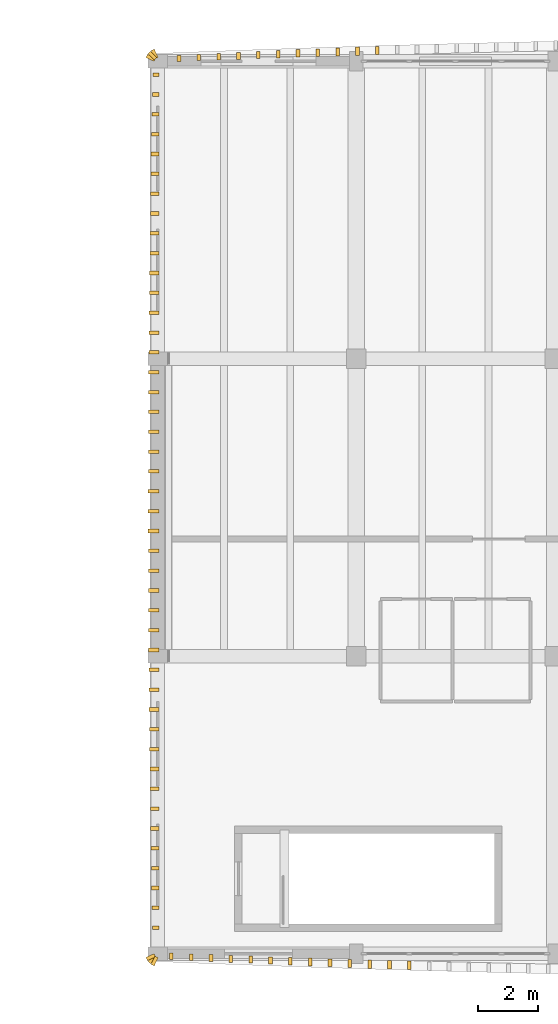
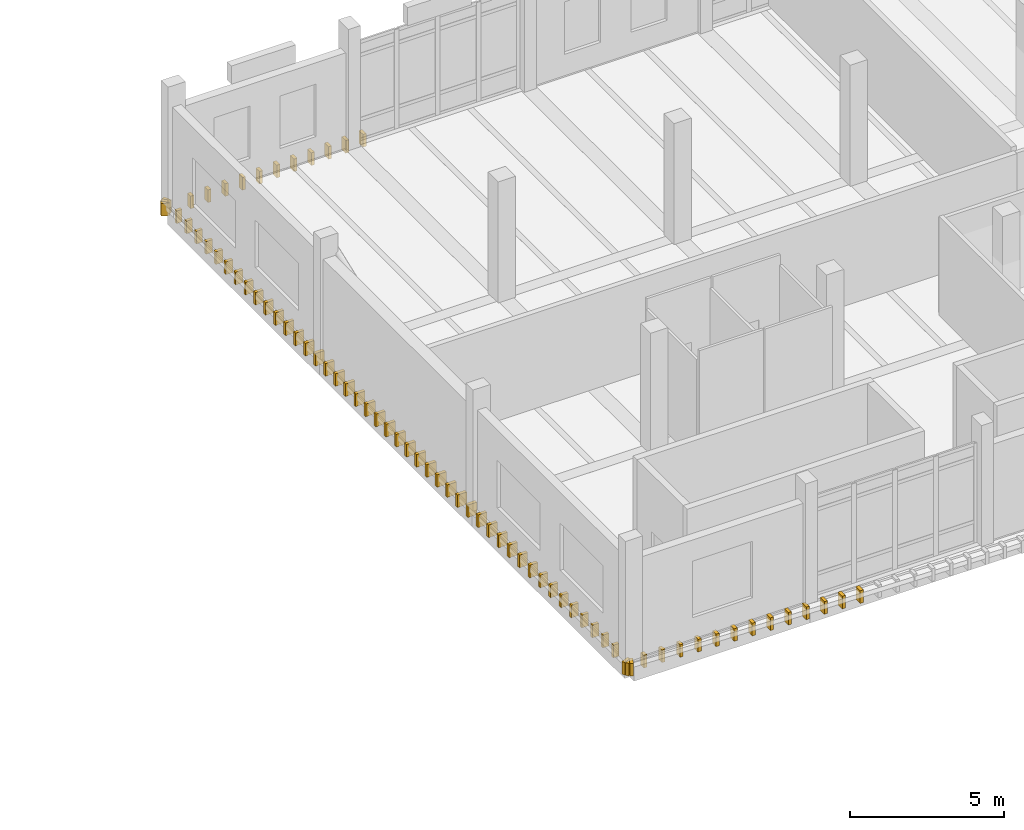
# One storey, part 34 of 37: 74 coverings.
"""IFC4 building model written with IfcOpenShell, lengths in metres."""

from ifc_helpers import new_model, si_unit, direction, frame, origin, origin_2d, place, context, subcontext, project, spatial, rectangle, extrude, material, layer, layer_set, type_object, element, save


model = new_model("IFC4")

# Units and contexts
model_context = context("Model", 3, precision=1e-05, world=origin(), true_north=direction((0.0, 1.0)))
body_context = subcontext(model_context, "Body", "Model", "MODEL_VIEW")
ifc_project = project(units=[si_unit("LENGTHUNIT", "METRE"), si_unit("AREAUNIT", "SQUARE_METRE"), si_unit("VOLUMEUNIT", "CUBIC_METRE"), si_unit("PLANEANGLEUNIT", "RADIAN"), si_unit("MASSUNIT", "GRAM", prefix="KILO")], contexts=[model_context])

# Site, building, storey
site_placement = place(None, origin())
site = spatial("IfcSite", under=ifc_project, at=site_placement, CompositionType="ELEMENT")
building_placement = place(site_placement, origin())
building = spatial("IfcBuilding", under=site, at=building_placement, Name="Dornvale Research Institute", CompositionType="ELEMENT")
storey_placement = place(building_placement, frame((0.0, 0.0, 29.39990234375)))
storey = spatial("IfcBuildingStorey", under=building, at=storey_placement, Name="L06", CompositionType="ELEMENT", Elevation=29.39990234375)

# Coverings
ifc_material = material(Name="Polychrome Glazed Terracotta Visor Rib Ceramic", Category="masonry")
ifc_layer = layer(ifc_material, 0.1201171875)
ifc_layer_set = layer_set([ifc_layer], Name="Polychrome Glazed Terracotta Visor Rib Ceramic")
covering_type = type_object("IfcCoveringType", Name="Covering_VisorBlade_Low", PredefinedType="CLADDING", material=ifc_layer_set)
covering_1_placement = place(storey_placement, frame((119.249755859375, 92.31982421875, -0.489990234375), z_axis=(0.0, 0.0, 1.0), x_axis=(0.0, 1.0, 0.0)))
element("IfcCovering", 1, at=covering_1_placement, inside=storey, type_object=covering_type, Name="L06 V4 canted glazed terracotta visor blade #3025", PredefinedType="CLADDING", context=body_context, shape_type="SweptSolid", body=[
    extrude(rectangle(XDim=0.205078125, YDim=0.1201171875, at=origin_2d()), origin(), (0.0, 0.0, 1.0), 0.5),
])
covering_2_placement = place(storey_placement, frame((119.9091796875, 92.290283203125, -0.489990234375), z_axis=(0.0, 0.0, 1.0), x_axis=(0.0, 1.0, 0.0)))
element("IfcCovering", 2, at=covering_2_placement, inside=storey, type_object=covering_type, Name="L06 V4 canted glazed terracotta visor blade #3026", PredefinedType="CLADDING", context=body_context, shape_type="SweptSolid", body=[
    extrude(rectangle(XDim=0.212890625, YDim=0.1201171875, at=origin_2d()), origin(), (0.0, 0.0, 1.0), 0.5),
])
covering_3_placement = place(storey_placement, frame((120.568603515625, 92.26123046875, -0.489990234375), z_axis=(0.0, 0.0, 1.0), x_axis=(0.0, 1.0, 0.0)))
element("IfcCovering", 3, at=covering_3_placement, inside=storey, type_object=covering_type, Name="L06 V4 canted glazed terracotta visor blade #3027", PredefinedType="CLADDING", context=body_context, shape_type="SweptSolid", body=[
    extrude(rectangle(XDim=0.219970703125, YDim=0.1201171875, at=origin_2d()), origin(), (0.0, 0.0, 1.0), 0.5),
])
covering_4_placement = place(storey_placement, frame((121.228271484375, 92.2333984375, -0.489990234375), z_axis=(0.0, 0.0, 1.0), x_axis=(0.0, 1.0, 0.0)))
element("IfcCovering", 4, at=covering_4_placement, inside=storey, type_object=covering_type, Name="L06 V4 canted glazed terracotta visor blade #3028", PredefinedType="CLADDING", context=body_context, shape_type="SweptSolid", body=[
    extrude(rectangle(XDim=0.22705078125, YDim=0.1201171875, at=origin_2d()), origin(), (0.0, 0.0, 1.0), 0.5),
])
covering_5_placement = place(storey_placement, frame((121.8876953125, 92.205810546875, -0.489990234375), z_axis=(0.0, 0.0, 1.0), x_axis=(0.0, 1.0, 0.0)))
element("IfcCovering", 5, at=covering_5_placement, inside=storey, type_object=covering_type, Name="L06 V4 canted glazed terracotta visor blade #3029", PredefinedType="CLADDING", context=body_context, shape_type="SweptSolid", body=[
    extrude(rectangle(XDim=0.23388671875, YDim=0.1201171875, at=origin_2d()), origin(), (0.0, 0.0, 1.0), 0.5),
])
covering_6_placement = place(storey_placement, frame((122.54736328125, 92.17919921875, -0.489990234375), z_axis=(0.0, 0.0, 1.0), x_axis=(0.0, 1.0, 0.0)))
element("IfcCovering", 6, at=covering_6_placement, inside=storey, type_object=covering_type, Name="L06 V4 canted glazed terracotta visor blade #3030", PredefinedType="CLADDING", context=body_context, shape_type="SweptSolid", body=[
    extrude(rectangle(XDim=0.240966796875, YDim=0.1201171875, at=origin_2d()), origin(), (0.0, 0.0, 1.0), 0.5),
])
covering_7_placement = place(storey_placement, frame((123.20703125, 92.1533203125, -0.489990234375), z_axis=(0.0, 0.0, 1.0), x_axis=(0.0, 1.0, 0.0)))
element("IfcCovering", 7, at=covering_7_placement, inside=storey, type_object=covering_type, Name="L06 V4 canted glazed terracotta visor blade #3031", PredefinedType="CLADDING", context=body_context, shape_type="SweptSolid", body=[
    extrude(rectangle(XDim=0.248046875, YDim=0.1201171875, at=origin_2d()), origin(), (0.0, 0.0, 1.0), 0.5),
])
covering_8_placement = place(storey_placement, frame((123.86669921875, 92.1279296875, -0.489990234375), z_axis=(0.0, 0.0, 1.0), x_axis=(0.0, 1.0, 0.0)))
element("IfcCovering", 8, at=covering_8_placement, inside=storey, type_object=covering_type, Name="L06 V4 canted glazed terracotta visor blade #3032", PredefinedType="CLADDING", context=body_context, shape_type="SweptSolid", body=[
    extrude(rectangle(XDim=0.25390625, YDim=0.1201171875, at=origin_2d()), origin(), (0.0, 0.0, 1.0), 0.5),
])
covering_9_placement = place(storey_placement, frame((124.5263671875, 92.10400390625, -0.489990234375), z_axis=(0.0, 0.0, 1.0), x_axis=(0.0, 1.0, 0.0)))
element("IfcCovering", 9, at=covering_9_placement, inside=storey, type_object=covering_type, Name="L06 V4 canted glazed terracotta visor blade #3033", PredefinedType="CLADDING", context=body_context, shape_type="SweptSolid", body=[
    extrude(rectangle(XDim=0.260009765625, YDim=0.1201171875, at=origin_2d()), origin(), (0.0, 0.0, 1.0), 0.5),
])
covering_10_placement = place(storey_placement, frame((125.185791015625, 92.080078125, -0.489990234375), z_axis=(0.0, 0.0, 1.0), x_axis=(0.0, 1.0, 0.0)))
element("IfcCovering", 10, at=covering_10_placement, inside=storey, type_object=covering_type, Name="L06 V4 canted glazed terracotta visor blade #3034", PredefinedType="CLADDING", context=body_context, shape_type="SweptSolid", body=[
    extrude(rectangle(XDim=0.26611328125, YDim=0.1201171875, at=origin_2d()), origin(), (0.0, 0.0, 1.0), 0.5),
])
covering_11_placement = place(storey_placement, frame((125.845703125, 92.05712890625, -0.489990234375), z_axis=(0.0, 0.0, 1.0), x_axis=(0.0, 1.0, 0.0)))
element("IfcCovering", 11, at=covering_11_placement, inside=storey, type_object=covering_type, Name="L06 V4 canted glazed terracotta visor blade #3035", PredefinedType="CLADDING", context=body_context, shape_type="SweptSolid", body=[
    extrude(rectangle(XDim=0.27197265625, YDim=0.1201171875, at=origin_2d()), origin(), (0.0, 0.0, 1.0), 0.5),
])
covering_12_placement = place(storey_placement, frame((126.50537109375, 92.034912109375, -0.489990234375), z_axis=(0.0, 0.0, 1.0), x_axis=(0.0, 1.0, 0.0)))
element("IfcCovering", 12, at=covering_12_placement, inside=storey, type_object=covering_type, Name="L06 V4 canted glazed terracotta visor blade #3036", PredefinedType="CLADDING", context=body_context, shape_type="SweptSolid", body=[
    extrude(rectangle(XDim=0.278076171875, YDim=0.1201171875, at=origin_2d()), origin(), (0.0, 0.0, 1.0), 0.5),
])
covering_13_placement = place(storey_placement, frame((127.1650390625, 92.01318359375, -0.489990234375), z_axis=(0.0, 0.0, 1.0), x_axis=(0.0, 1.0, 0.0)))
element("IfcCovering", 13, at=covering_13_placement, inside=storey, type_object=covering_type, Name="L06 V4 canted glazed terracotta visor blade #3037", PredefinedType="CLADDING", context=body_context, shape_type="SweptSolid", body=[
    extrude(rectangle(XDim=0.282958984375, YDim=0.1201171875, at=origin_2d()), origin(), (0.0, 0.0, 1.0), 0.5),
])
covering_14_placement = place(storey_placement, frame((126.100341796875, 122.451416015625, -0.489990234375), z_axis=(0.0, 0.0, 1.0), x_axis=(0.0, 1.0, 0.0)))
element("IfcCovering", 14, at=covering_14_placement, inside=storey, type_object=covering_type, Name="L06 V4 canted glazed terracotta visor blade #3178", PredefinedType="CLADDING", context=body_context, shape_type="SweptSolid", body=[
    extrude(rectangle(XDim=0.27392578125, YDim=0.1201171875, at=origin_2d()), origin(), (0.0, 0.0, 1.0), 0.5),
])
covering_15_placement = place(storey_placement, frame((125.440673828125, 122.428955078125, -0.489990234375), z_axis=(0.0, 0.0, 1.0), x_axis=(0.0, 1.0, 0.0)))
element("IfcCovering", 15, at=covering_15_placement, inside=storey, type_object=covering_type, Name="L06 V4 canted glazed terracotta visor blade #3179", PredefinedType="CLADDING", context=body_context, shape_type="SweptSolid", body=[
    extrude(rectangle(XDim=0.26806640625, YDim=0.1201171875, at=origin_2d()), origin(), (0.0, 0.0, 1.0), 0.5),
])
covering_16_placement = place(storey_placement, frame((124.781005859375, 122.405029296875, -0.489990234375), z_axis=(0.0, 0.0, 1.0), x_axis=(0.0, 1.0, 0.0)))
element("IfcCovering", 16, at=covering_16_placement, inside=storey, type_object=covering_type, Name="L06 V4 canted glazed terracotta visor blade #3180", PredefinedType="CLADDING", context=body_context, shape_type="SweptSolid", body=[
    extrude(rectangle(XDim=0.261962890625, YDim=0.1201171875, at=origin_2d()), origin(), (0.0, 0.0, 1.0), 0.5),
])
covering_17_placement = place(storey_placement, frame((124.12109375, 122.381103515625, -0.489990234375), z_axis=(0.0, 0.0, 1.0), x_axis=(0.0, 1.0, 0.0)))
element("IfcCovering", 17, at=covering_17_placement, inside=storey, type_object=covering_type, Name="L06 V4 canted glazed terracotta visor blade #3181", PredefinedType="CLADDING", context=body_context, shape_type="SweptSolid", body=[
    extrude(rectangle(XDim=0.256103515625, YDim=0.1201171875, at=origin_2d()), origin(), (0.0, 0.0, 1.0), 0.5),
])
covering_18_placement = place(storey_placement, frame((123.461669921875, 122.3564453125, -0.489990234375), z_axis=(0.0, 0.0, 1.0), x_axis=(0.0, 1.0, 0.0)))
element("IfcCovering", 18, at=covering_18_placement, inside=storey, type_object=covering_type, Name="L06 V4 canted glazed terracotta visor blade #3182", PredefinedType="CLADDING", context=body_context, shape_type="SweptSolid", body=[
    extrude(rectangle(XDim=0.25, YDim=0.1201171875, at=origin_2d()), origin(), (0.0, 0.0, 1.0), 0.5),
])
covering_19_placement = place(storey_placement, frame((122.802001953125, 122.33056640625, -0.489990234375), z_axis=(0.0, 0.0, 1.0), x_axis=(0.0, 1.0, 0.0)))
element("IfcCovering", 19, at=covering_19_placement, inside=storey, type_object=covering_type, Name="L06 V4 canted glazed terracotta visor blade #3183", PredefinedType="CLADDING", context=body_context, shape_type="SweptSolid", body=[
    extrude(rectangle(XDim=0.242919921875, YDim=0.1201171875, at=origin_2d()), origin(), (0.0, 0.0, 1.0), 0.5),
])
covering_20_placement = place(storey_placement, frame((122.142333984375, 122.304931640625, -0.489990234375), z_axis=(0.0, 0.0, 1.0), x_axis=(0.0, 1.0, 0.0)))
element("IfcCovering", 20, at=covering_20_placement, inside=storey, type_object=covering_type, Name="L06 V4 canted glazed terracotta visor blade #3184", PredefinedType="CLADDING", context=body_context, shape_type="SweptSolid", body=[
    extrude(rectangle(XDim=0.237060546875, YDim=0.1201171875, at=origin_2d()), origin(), (0.0, 0.0, 1.0), 0.5),
])
covering_21_placement = place(storey_placement, frame((121.48291015625, 122.27734375, -0.489990234375), z_axis=(0.0, 0.0, 1.0), x_axis=(0.0, 1.0, 0.0)))
element("IfcCovering", 21, at=covering_21_placement, inside=storey, type_object=covering_type, Name="L06 V4 canted glazed terracotta visor blade #3185", PredefinedType="CLADDING", context=body_context, shape_type="SweptSolid", body=[
    extrude(rectangle(XDim=0.22998046875, YDim=0.1201171875, at=origin_2d()), origin(), (0.0, 0.0, 1.0), 0.5),
])
covering_22_placement = place(storey_placement, frame((120.8232421875, 122.24951171875, -0.489990234375), z_axis=(0.0, 0.0, 1.0), x_axis=(0.0, 1.0, 0.0)))
element("IfcCovering", 22, at=covering_22_placement, inside=storey, type_object=covering_type, Name="L06 V4 canted glazed terracotta visor blade #3186", PredefinedType="CLADDING", context=body_context, shape_type="SweptSolid", body=[
    extrude(rectangle(XDim=0.222900390625, YDim=0.1201171875, at=origin_2d()), origin(), (0.0, 0.0, 1.0), 0.5),
])
covering_23_placement = place(storey_placement, frame((120.163818359375, 122.22119140625, -0.489990234375), z_axis=(0.0, 0.0, 1.0), x_axis=(0.0, 1.0, 0.0)))
element("IfcCovering", 23, at=covering_23_placement, inside=storey, type_object=covering_type, Name="L06 V4 canted glazed terracotta visor blade #3187", PredefinedType="CLADDING", context=body_context, shape_type="SweptSolid", body=[
    extrude(rectangle(XDim=0.216064453125, YDim=0.1201171875, at=origin_2d()), origin(), (0.0, 0.0, 1.0), 0.5),
])
covering_24_placement = place(storey_placement, frame((119.504150390625, 122.19140625, -0.489990234375), z_axis=(0.0, 0.0, 1.0), x_axis=(0.0, 1.0, 0.0)))
element("IfcCovering", 24, at=covering_24_placement, inside=storey, type_object=covering_type, Name="L06 V4 canted glazed terracotta visor blade #3188", PredefinedType="CLADDING", context=body_context, shape_type="SweptSolid", body=[
    extrude(rectangle(XDim=0.2080078125, YDim=0.1201171875, at=origin_2d()), origin(), (0.0, 0.0, 1.0), 0.5),
])
covering_25_placement = place(storey_placement, frame((118.735107421875, 121.64990234375, -0.489990234375), z_axis=(0.0, 0.0, 1.0), x_axis=(1.0, 0.0, 0.0)))
element("IfcCovering", 25, at=covering_25_placement, inside=storey, type_object=covering_type, Name="L06 V4 canted glazed terracotta visor blade #3233", PredefinedType="CLADDING", context=body_context, shape_type="SweptSolid", body=[
    extrude(rectangle(XDim=0.2099609375, YDim=0.1201171875, at=origin_2d()), origin(), (0.0, 0.0, 1.0), 0.5),
])
covering_26_placement = place(storey_placement, frame((118.728515625, 120.989990234375, -0.489990234375), z_axis=(0.0, 0.0, 1.0), x_axis=(1.0, 0.0, 0.0)))
element("IfcCovering", 26, at=covering_26_placement, inside=storey, type_object=covering_type, Name="L06 V4 canted glazed terracotta visor blade #3234", PredefinedType="CLADDING", context=body_context, shape_type="SweptSolid", body=[
    extrude(rectangle(XDim=0.222900390625, YDim=0.1201171875, at=origin_2d()), origin(), (0.0, 0.0, 1.0), 0.5),
])
covering_27_placement = place(storey_placement, frame((118.721923828125, 120.330078125, -0.489990234375), z_axis=(0.0, 0.0, 1.0), x_axis=(1.0, 0.0, 0.0)))
element("IfcCovering", 27, at=covering_27_placement, inside=storey, type_object=covering_type, Name="L06 V4 canted glazed terracotta visor blade #3235", PredefinedType="CLADDING", context=body_context, shape_type="SweptSolid", body=[
    extrude(rectangle(XDim=0.236083984375, YDim=0.1201171875, at=origin_2d()), origin(), (0.0, 0.0, 1.0), 0.5),
])
covering_28_placement = place(storey_placement, frame((118.716064453125, 119.669921875, -0.489990234375), z_axis=(0.0, 0.0, 1.0), x_axis=(1.0, 0.0, 0.0)))
element("IfcCovering", 28, at=covering_28_placement, inside=storey, type_object=covering_type, Name="L06 V4 canted glazed terracotta visor blade #3236", PredefinedType="CLADDING", context=body_context, shape_type="SweptSolid", body=[
    extrude(rectangle(XDim=0.248046875, YDim=0.1201171875, at=origin_2d()), origin(), (0.0, 0.0, 1.0), 0.5),
])
covering_29_placement = place(storey_placement, frame((118.7099609375, 119.010009765625, -0.489990234375), z_axis=(0.0, 0.0, 1.0), x_axis=(1.0, 0.0, 0.0)))
element("IfcCovering", 29, at=covering_29_placement, inside=storey, type_object=covering_type, Name="L06 V4 canted glazed terracotta visor blade #3237", PredefinedType="CLADDING", context=body_context, shape_type="SweptSolid", body=[
    extrude(rectangle(XDim=0.260009765625, YDim=0.1201171875, at=origin_2d()), origin(), (0.0, 0.0, 1.0), 0.5),
])
covering_30_placement = place(storey_placement, frame((118.70458984375, 118.35009765625, -0.489990234375), z_axis=(0.0, 0.0, 1.0), x_axis=(1.0, 0.0, 0.0)))
element("IfcCovering", 30, at=covering_30_placement, inside=storey, type_object=covering_type, Name="L06 V4 canted glazed terracotta visor blade #3238", PredefinedType="CLADDING", context=body_context, shape_type="SweptSolid", body=[
    extrude(rectangle(XDim=0.27099609375, YDim=0.1201171875, at=origin_2d()), origin(), (0.0, 0.0, 1.0), 0.5),
])
covering_31_placement = place(storey_placement, frame((118.699462890625, 117.68994140625, -0.489990234375), z_axis=(0.0, 0.0, 1.0), x_axis=(1.0, 0.0, 0.0)))
element("IfcCovering", 31, at=covering_31_placement, inside=storey, type_object=covering_type, Name="L06 V4 canted glazed terracotta visor blade #3239", PredefinedType="CLADDING", context=body_context, shape_type="SweptSolid", body=[
    extrude(rectangle(XDim=0.281005859375, YDim=0.1201171875, at=origin_2d()), origin(), (0.0, 0.0, 1.0), 0.5),
])
covering_32_placement = place(storey_placement, frame((118.694580078125, 117.030029296875, -0.489990234375), z_axis=(0.0, 0.0, 1.0), x_axis=(1.0, 0.0, 0.0)))
element("IfcCovering", 32, at=covering_32_placement, inside=storey, type_object=covering_type, Name="L06 V4 canted glazed terracotta visor blade #3240", PredefinedType="CLADDING", context=body_context, shape_type="SweptSolid", body=[
    extrude(rectangle(XDim=0.291015625, YDim=0.1201171875, at=origin_2d()), origin(), (0.0, 0.0, 1.0), 0.5),
])
covering_33_placement = place(storey_placement, frame((118.68994140625, 116.3701171875, -0.489990234375), z_axis=(0.0, 0.0, 1.0), x_axis=(1.0, 0.0, 0.0)))
element("IfcCovering", 33, at=covering_33_placement, inside=storey, type_object=covering_type, Name="L06 V4 canted glazed terracotta visor blade #3241", PredefinedType="CLADDING", context=body_context, shape_type="SweptSolid", body=[
    extrude(rectangle(XDim=0.300048828125, YDim=0.1201171875, at=origin_2d()), origin(), (0.0, 0.0, 1.0), 0.5),
])
covering_34_placement = place(storey_placement, frame((118.68603515625, 115.7099609375, -0.489990234375), z_axis=(0.0, 0.0, 1.0), x_axis=(1.0, 0.0, 0.0)))
element("IfcCovering", 34, at=covering_34_placement, inside=storey, type_object=covering_type, Name="L06 V4 canted glazed terracotta visor blade #3242", PredefinedType="CLADDING", context=body_context, shape_type="SweptSolid", body=[
    extrude(rectangle(XDim=0.30810546875, YDim=0.1201171875, at=origin_2d()), origin(), (0.0, 0.0, 1.0), 0.5),
])
covering_35_placement = place(storey_placement, frame((118.681884765625, 115.050048828125, -0.489990234375), z_axis=(0.0, 0.0, 1.0), x_axis=(1.0, 0.0, 0.0)))
element("IfcCovering", 35, at=covering_35_placement, inside=storey, type_object=covering_type, Name="L06 V4 canted glazed terracotta visor blade #3243", PredefinedType="CLADDING", context=body_context, shape_type="SweptSolid", body=[
    extrude(rectangle(XDim=0.31591796875, YDim=0.1201171875, at=origin_2d()), origin(), (0.0, 0.0, 1.0), 0.5),
])
covering_36_placement = place(storey_placement, frame((118.678466796875, 114.389892578125, -0.489990234375), z_axis=(0.0, 0.0, 1.0), x_axis=(1.0, 0.0, 0.0)))
element("IfcCovering", 36, at=covering_36_placement, inside=storey, type_object=covering_type, Name="L06 V4 canted glazed terracotta visor blade #3244", PredefinedType="CLADDING", context=body_context, shape_type="SweptSolid", body=[
    extrude(rectangle(XDim=0.322998046875, YDim=0.1201171875, at=origin_2d()), origin(), (0.0, 0.0, 1.0), 0.5),
])
covering_37_placement = place(storey_placement, frame((118.675048828125, 113.72998046875, -0.489990234375), z_axis=(0.0, 0.0, 1.0), x_axis=(1.0, 0.0, 0.0)))
element("IfcCovering", 37, at=covering_37_placement, inside=storey, type_object=covering_type, Name="L06 V4 canted glazed terracotta visor blade #3245", PredefinedType="CLADDING", context=body_context, shape_type="SweptSolid", body=[
    extrude(rectangle(XDim=0.330078125, YDim=0.1201171875, at=origin_2d()), origin(), (0.0, 0.0, 1.0), 0.5),
])
covering_38_placement = place(storey_placement, frame((118.672607421875, 113.070068359375, -0.489990234375), z_axis=(0.0, 0.0, 1.0), x_axis=(1.0, 0.0, 0.0)))
element("IfcCovering", 38, at=covering_38_placement, inside=storey, type_object=covering_type, Name="L06 V4 canted glazed terracotta visor blade #3246", PredefinedType="CLADDING", context=body_context, shape_type="SweptSolid", body=[
    extrude(rectangle(XDim=0.3349609375, YDim=0.1201171875, at=origin_2d()), origin(), (0.0, 0.0, 1.0), 0.5),
])
covering_39_placement = place(storey_placement, frame((118.66943359375, 112.409912109375, -0.489990234375), z_axis=(0.0, 0.0, 1.0), x_axis=(1.0, 0.0, 0.0)))
element("IfcCovering", 39, at=covering_39_placement, inside=storey, type_object=covering_type, Name="L06 V4 canted glazed terracotta visor blade #3247", PredefinedType="CLADDING", context=body_context, shape_type="SweptSolid", body=[
    extrude(rectangle(XDim=0.341064453125, YDim=0.1201171875, at=origin_2d()), origin(), (0.0, 0.0, 1.0), 0.5),
])
covering_40_placement = place(storey_placement, frame((118.66748046875, 111.75, -0.489990234375), z_axis=(0.0, 0.0, 1.0), x_axis=(1.0, 0.0, 0.0)))
element("IfcCovering", 40, at=covering_40_placement, inside=storey, type_object=covering_type, Name="L06 V4 canted glazed terracotta visor blade #3248", PredefinedType="CLADDING", context=body_context, shape_type="SweptSolid", body=[
    extrude(rectangle(XDim=0.344970703125, YDim=0.1201171875, at=origin_2d()), origin(), (0.0, 0.0, 1.0), 0.5),
])
covering_41_placement = place(storey_placement, frame((118.66552734375, 111.090087890625, -0.489990234375), z_axis=(0.0, 0.0, 1.0), x_axis=(1.0, 0.0, 0.0)))
element("IfcCovering", 41, at=covering_41_placement, inside=storey, type_object=covering_type, Name="L06 V4 canted glazed terracotta visor blade #3249", PredefinedType="CLADDING", context=body_context, shape_type="SweptSolid", body=[
    extrude(rectangle(XDim=0.34912109375, YDim=0.1201171875, at=origin_2d()), origin(), (0.0, 0.0, 1.0), 0.5),
])
covering_42_placement = place(storey_placement, frame((118.66357421875, 110.429931640625, -0.489990234375), z_axis=(0.0, 0.0, 1.0), x_axis=(1.0, 0.0, 0.0)))
element("IfcCovering", 42, at=covering_42_placement, inside=storey, type_object=covering_type, Name="L06 V4 canted glazed terracotta visor blade #3250", PredefinedType="CLADDING", context=body_context, shape_type="SweptSolid", body=[
    extrude(rectangle(XDim=0.35302734375, YDim=0.1201171875, at=origin_2d()), origin(), (0.0, 0.0, 1.0), 0.5),
])
covering_43_placement = place(storey_placement, frame((118.66259765625, 109.77001953125, -0.489990234375), z_axis=(0.0, 0.0, 1.0), x_axis=(1.0, 0.0, 0.0)))
element("IfcCovering", 43, at=covering_43_placement, inside=storey, type_object=covering_type, Name="L06 V4 canted glazed terracotta visor blade #3251", PredefinedType="CLADDING", context=body_context, shape_type="SweptSolid", body=[
    extrude(rectangle(XDim=0.35498046875, YDim=0.1201171875, at=origin_2d()), origin(), (0.0, 0.0, 1.0), 0.5),
])
covering_44_placement = place(storey_placement, frame((118.66162109375, 109.110107421875, -0.489990234375), z_axis=(0.0, 0.0, 1.0), x_axis=(1.0, 0.0, 0.0)))
element("IfcCovering", 44, at=covering_44_placement, inside=storey, type_object=covering_type, Name="L06 V4 canted glazed terracotta visor blade #3252", PredefinedType="CLADDING", context=body_context, shape_type="SweptSolid", body=[
    extrude(rectangle(XDim=0.35693359375, YDim=0.1201171875, at=origin_2d()), origin(), (0.0, 0.0, 1.0), 0.5),
])
covering_45_placement = place(storey_placement, frame((118.660400390625, 108.449951171875, -0.489990234375), z_axis=(0.0, 0.0, 1.0), x_axis=(1.0, 0.0, 0.0)))
element("IfcCovering", 45, at=covering_45_placement, inside=storey, type_object=covering_type, Name="L06 V4 canted glazed terracotta visor blade #3253", PredefinedType="CLADDING", context=body_context, shape_type="SweptSolid", body=[
    extrude(rectangle(XDim=0.35888671875, YDim=0.1201171875, at=origin_2d()), origin(), (0.0, 0.0, 1.0), 0.5),
])
for number, where, z_axis, x_axis, name in (
    (46, (118.659912109375, 107.7900390625, -0.489990234375), (0.0, 0.0, 1.0), (1.0, 0.0, 0.0), "L06 V4 canted glazed terracotta visor blade #3254"),
    (47, (118.659912109375, 107.1298828125, -0.489990234375), (0.0, 0.0, 1.0), (1.0, 0.0, 0.0), "L06 V4 canted glazed terracotta visor blade #3255"),
    (48, (118.659912109375, 106.469970703125, -0.489990234375), (0.0, 0.0, 1.0), (1.0, 0.0, 0.0), "L06 V4 canted glazed terracotta visor blade #3256"),
):
    element("IfcCovering", number, at=place(storey_placement, frame(where, z_axis=z_axis, x_axis=x_axis)), inside=storey, type_object=covering_type, Name=name, PredefinedType="CLADDING", context=body_context, shape_type="SweptSolid", body=[
        extrude(rectangle(XDim=0.360107421875, YDim=0.1201171875, at=origin_2d()), origin(), (0.0, 0.0, 1.0), 0.5),
    ])
covering_46_placement = place(storey_placement, frame((118.660888671875, 105.81005859375, -0.489990234375), z_axis=(0.0, 0.0, 1.0), x_axis=(1.0, 0.0, 0.0)))
element("IfcCovering", 49, at=covering_46_placement, inside=storey, type_object=covering_type, Name="L06 V4 canted glazed terracotta visor blade #3257", PredefinedType="CLADDING", context=body_context, shape_type="SweptSolid", body=[
    extrude(rectangle(XDim=0.35791015625, YDim=0.1201171875, at=origin_2d()), origin(), (0.0, 0.0, 1.0), 0.5),
])
covering_47_placement = place(storey_placement, frame((118.66162109375, 105.14990234375, -0.489990234375), z_axis=(0.0, 0.0, 1.0), x_axis=(1.0, 0.0, 0.0)))
element("IfcCovering", 50, at=covering_47_placement, inside=storey, type_object=covering_type, Name="L06 V4 canted glazed terracotta visor blade #3258", PredefinedType="CLADDING", context=body_context, shape_type="SweptSolid", body=[
    extrude(rectangle(XDim=0.35693359375, YDim=0.1201171875, at=origin_2d()), origin(), (0.0, 0.0, 1.0), 0.5),
])
covering_48_placement = place(storey_placement, frame((118.6630859375, 104.489990234375, -0.489990234375), z_axis=(0.0, 0.0, 1.0), x_axis=(1.0, 0.0, 0.0)))
element("IfcCovering", 51, at=covering_48_placement, inside=storey, type_object=covering_type, Name="L06 V4 canted glazed terracotta visor blade #3259", PredefinedType="CLADDING", context=body_context, shape_type="SweptSolid", body=[
    extrude(rectangle(XDim=0.35400390625, YDim=0.1201171875, at=origin_2d()), origin(), (0.0, 0.0, 1.0), 0.5),
])
covering_49_placement = place(storey_placement, frame((118.6640625, 103.830078125, -0.489990234375), z_axis=(0.0, 0.0, 1.0), x_axis=(1.0, 0.0, 0.0)))
element("IfcCovering", 52, at=covering_49_placement, inside=storey, type_object=covering_type, Name="L06 V4 canted glazed terracotta visor blade #3260", PredefinedType="CLADDING", context=body_context, shape_type="SweptSolid", body=[
    extrude(rectangle(XDim=0.35205078125, YDim=0.1201171875, at=origin_2d()), origin(), (0.0, 0.0, 1.0), 0.5),
])
covering_50_placement = place(storey_placement, frame((118.666015625, 103.169921875, -0.489990234375), z_axis=(0.0, 0.0, 1.0), x_axis=(1.0, 0.0, 0.0)))
element("IfcCovering", 53, at=covering_50_placement, inside=storey, type_object=covering_type, Name="L06 V4 canted glazed terracotta visor blade #3261", PredefinedType="CLADDING", context=body_context, shape_type="SweptSolid", body=[
    extrude(rectangle(XDim=0.347900390625, YDim=0.1201171875, at=origin_2d()), origin(), (0.0, 0.0, 1.0), 0.5),
])
covering_51_placement = place(storey_placement, frame((118.66796875, 102.510009765625, -0.489990234375), z_axis=(0.0, 0.0, 1.0), x_axis=(1.0, 0.0, 0.0)))
element("IfcCovering", 54, at=covering_51_placement, inside=storey, type_object=covering_type, Name="L06 V4 canted glazed terracotta visor blade #3262", PredefinedType="CLADDING", context=body_context, shape_type="SweptSolid", body=[
    extrude(rectangle(XDim=0.343994140625, YDim=0.1201171875, at=origin_2d()), origin(), (0.0, 0.0, 1.0), 0.5),
])
covering_52_placement = place(storey_placement, frame((118.67041015625, 101.85009765625, -0.489990234375), z_axis=(0.0, 0.0, 1.0), x_axis=(1.0, 0.0, 0.0)))
element("IfcCovering", 55, at=covering_52_placement, inside=storey, type_object=covering_type, Name="L06 V4 canted glazed terracotta visor blade #3263", PredefinedType="CLADDING", context=body_context, shape_type="SweptSolid", body=[
    extrude(rectangle(XDim=0.339111328125, YDim=0.1201171875, at=origin_2d()), origin(), (0.0, 0.0, 1.0), 0.5),
])
covering_53_placement = place(storey_placement, frame((118.673583984375, 101.18994140625, -0.489990234375), z_axis=(0.0, 0.0, 1.0), x_axis=(1.0, 0.0, 0.0)))
element("IfcCovering", 56, at=covering_53_placement, inside=storey, type_object=covering_type, Name="L06 V4 canted glazed terracotta visor blade #3264", PredefinedType="CLADDING", context=body_context, shape_type="SweptSolid", body=[
    extrude(rectangle(XDim=0.3330078125, YDim=0.1201171875, at=origin_2d()), origin(), (0.0, 0.0, 1.0), 0.5),
])
covering_54_placement = place(storey_placement, frame((118.676513671875, 100.530029296875, -0.489990234375), z_axis=(0.0, 0.0, 1.0), x_axis=(1.0, 0.0, 0.0)))
element("IfcCovering", 57, at=covering_54_placement, inside=storey, type_object=covering_type, Name="L06 V4 canted glazed terracotta visor blade #3265", PredefinedType="CLADDING", context=body_context, shape_type="SweptSolid", body=[
    extrude(rectangle(XDim=0.326904296875, YDim=0.1201171875, at=origin_2d()), origin(), (0.0, 0.0, 1.0), 0.5),
])
covering_55_placement = place(storey_placement, frame((118.679931640625, 99.8701171875, -0.489990234375), z_axis=(0.0, 0.0, 1.0), x_axis=(1.0, 0.0, 0.0)))
element("IfcCovering", 58, at=covering_55_placement, inside=storey, type_object=covering_type, Name="L06 V4 canted glazed terracotta visor blade #3266", PredefinedType="CLADDING", context=body_context, shape_type="SweptSolid", body=[
    extrude(rectangle(XDim=0.320068359375, YDim=0.1201171875, at=origin_2d()), origin(), (0.0, 0.0, 1.0), 0.5),
])
covering_56_placement = place(storey_placement, frame((118.68359375, 99.2099609375, -0.489990234375), z_axis=(0.0, 0.0, 1.0), x_axis=(1.0, 0.0, 0.0)))
element("IfcCovering", 59, at=covering_56_placement, inside=storey, type_object=covering_type, Name="L06 V4 canted glazed terracotta visor blade #3267", PredefinedType="CLADDING", context=body_context, shape_type="SweptSolid", body=[
    extrude(rectangle(XDim=0.31298828125, YDim=0.1201171875, at=origin_2d()), origin(), (0.0, 0.0, 1.0), 0.5),
])
covering_57_placement = place(storey_placement, frame((118.6875, 98.550048828125, -0.489990234375), z_axis=(0.0, 0.0, 1.0), x_axis=(1.0, 0.0, 0.0)))
element("IfcCovering", 60, at=covering_57_placement, inside=storey, type_object=covering_type, Name="L06 V4 canted glazed terracotta visor blade #3268", PredefinedType="CLADDING", context=body_context, shape_type="SweptSolid", body=[
    extrude(rectangle(XDim=0.304931640625, YDim=0.1201171875, at=origin_2d()), origin(), (0.0, 0.0, 1.0), 0.5),
])
covering_58_placement = place(storey_placement, frame((118.69189453125, 97.889892578125, -0.489990234375), z_axis=(0.0, 0.0, 1.0), x_axis=(1.0, 0.0, 0.0)))
element("IfcCovering", 61, at=covering_58_placement, inside=storey, type_object=covering_type, Name="L06 V4 canted glazed terracotta visor blade #3269", PredefinedType="CLADDING", context=body_context, shape_type="SweptSolid", body=[
    extrude(rectangle(XDim=0.2958984375, YDim=0.1201171875, at=origin_2d()), origin(), (0.0, 0.0, 1.0), 0.5),
])
covering_59_placement = place(storey_placement, frame((118.696533203125, 97.22998046875, -0.489990234375), z_axis=(0.0, 0.0, 1.0), x_axis=(1.0, 0.0, 0.0)))
element("IfcCovering", 62, at=covering_59_placement, inside=storey, type_object=covering_type, Name="L06 V4 canted glazed terracotta visor blade #3270", PredefinedType="CLADDING", context=body_context, shape_type="SweptSolid", body=[
    extrude(rectangle(XDim=0.287109375, YDim=0.1201171875, at=origin_2d()), origin(), (0.0, 0.0, 1.0), 0.5),
])
covering_60_placement = place(storey_placement, frame((118.701416015625, 96.570068359375, -0.489990234375), z_axis=(0.0, 0.0, 1.0), x_axis=(1.0, 0.0, 0.0)))
element("IfcCovering", 63, at=covering_60_placement, inside=storey, type_object=covering_type, Name="L06 V4 canted glazed terracotta visor blade #3271", PredefinedType="CLADDING", context=body_context, shape_type="SweptSolid", body=[
    extrude(rectangle(XDim=0.277099609375, YDim=0.1201171875, at=origin_2d()), origin(), (0.0, 0.0, 1.0), 0.5),
])
covering_61_placement = place(storey_placement, frame((118.70654296875, 95.909912109375, -0.489990234375), z_axis=(0.0, 0.0, 1.0), x_axis=(1.0, 0.0, 0.0)))
element("IfcCovering", 64, at=covering_61_placement, inside=storey, type_object=covering_type, Name="L06 V4 canted glazed terracotta visor blade #3272", PredefinedType="CLADDING", context=body_context, shape_type="SweptSolid", body=[
    extrude(rectangle(XDim=0.26708984375, YDim=0.1201171875, at=origin_2d()), origin(), (0.0, 0.0, 1.0), 0.5),
])
covering_62_placement = place(storey_placement, frame((118.7119140625, 95.25, -0.489990234375), z_axis=(0.0, 0.0, 1.0), x_axis=(1.0, 0.0, 0.0)))
element("IfcCovering", 65, at=covering_62_placement, inside=storey, type_object=covering_type, Name="L06 V4 canted glazed terracotta visor blade #3273", PredefinedType="CLADDING", context=body_context, shape_type="SweptSolid", body=[
    extrude(rectangle(XDim=0.256103515625, YDim=0.1201171875, at=origin_2d()), origin(), (0.0, 0.0, 1.0), 0.5),
])
covering_63_placement = place(storey_placement, frame((118.718017578125, 94.590087890625, -0.489990234375), z_axis=(0.0, 0.0, 1.0), x_axis=(1.0, 0.0, 0.0)))
element("IfcCovering", 66, at=covering_63_placement, inside=storey, type_object=covering_type, Name="L06 V4 canted glazed terracotta visor blade #3274", PredefinedType="CLADDING", context=body_context, shape_type="SweptSolid", body=[
    extrude(rectangle(XDim=0.243896484375, YDim=0.1201171875, at=origin_2d()), origin(), (0.0, 0.0, 1.0), 0.5),
])
covering_64_placement = place(storey_placement, frame((118.724609375, 93.929931640625, -0.489990234375), z_axis=(0.0, 0.0, 1.0), x_axis=(1.0, 0.0, 0.0)))
element("IfcCovering", 67, at=covering_64_placement, inside=storey, type_object=covering_type, Name="L06 V4 canted glazed terracotta visor blade #3275", PredefinedType="CLADDING", context=body_context, shape_type="SweptSolid", body=[
    extrude(rectangle(XDim=0.23095703125, YDim=0.1201171875, at=origin_2d()), origin(), (0.0, 0.0, 1.0), 0.5),
])
covering_65_placement = place(storey_placement, frame((118.73095703125, 93.27001953125, -0.489990234375), z_axis=(0.0, 0.0, 1.0), x_axis=(1.0, 0.0, 0.0)))
element("IfcCovering", 68, at=covering_65_placement, inside=storey, type_object=covering_type, Name="L06 V4 canted glazed terracotta visor blade #3276", PredefinedType="CLADDING", context=body_context, shape_type="SweptSolid", body=[
    extrude(rectangle(XDim=0.218017578125, YDim=0.1201171875, at=origin_2d()), origin(), (0.0, 0.0, 1.0), 0.5),
])
for number, where, z_axis, x_axis, name in (
    (69, (118.564453125, 92.2900390625, -0.489990234375), (0.0, 0.0, 1.0), (-0.906307787037, -0.422618261741, 0.0), "L06 V4 corner-wrapping visor blade #3277"),
    (70, (118.6162109375, 92.21630859375, -0.489990234375), (0.0, 0.0, 1.0), (-0.707106781187, -0.707106781187, 0.0), "L06 V4 corner-wrapping visor blade #3278"),
    (71, (118.690185546875, 92.164306640625, -0.489990234375), (0.0, 0.0, 1.0), (-0.422618261741, -0.906307787037, 0.0), "L06 V4 corner-wrapping visor blade #3279"),
    (72, (118.690185546875, 122.335693359375, -0.489990234375), (0.0, 0.0, 1.0), (-0.422618261741, 0.906307787037, 0.0), "L06 V4 corner-wrapping visor blade #3286"),
    (73, (118.6162109375, 122.28369140625, -0.489990234375), (0.0, 0.0, 1.0), (-0.707106781187, 0.707106781187, 0.0), "L06 V4 corner-wrapping visor blade #3287"),
    (74, (118.564453125, 122.2099609375, -0.489990234375), (0.0, 0.0, 1.0), (-0.906307787037, 0.422618261741, 0.0), "L06 V4 corner-wrapping visor blade #3288"),
):
    element("IfcCovering", number, at=place(storey_placement, frame(where, z_axis=z_axis, x_axis=x_axis)), inside=storey, type_object=covering_type, Name=name, PredefinedType="CLADDING", context=body_context, shape_type="SweptSolid", body=[
        extrude(rectangle(XDim=0.300048828125, YDim=0.1201171875, at=origin_2d()), origin(), (0.0, 0.0, 1.0), 0.5),
    ])

save(model, "model.ifc")
